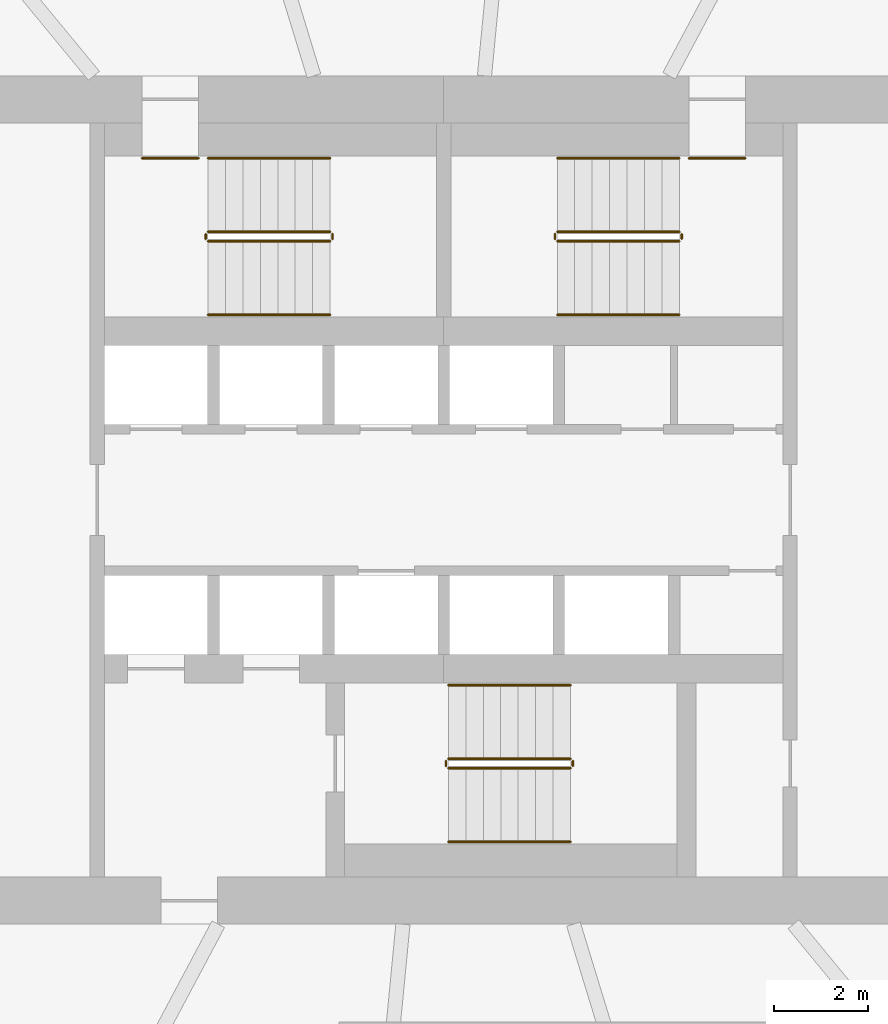
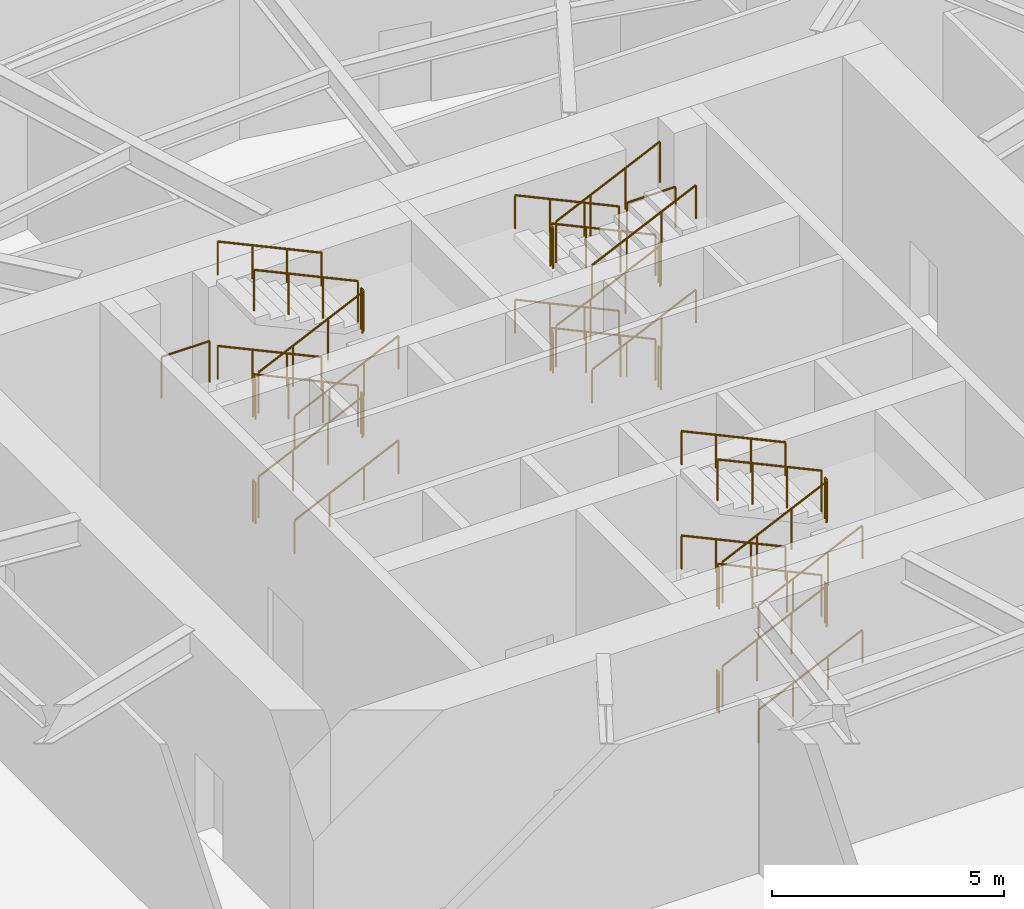
# One storey, part 19 of 19: 38 railings.
"""IFC4 building model written with IfcOpenShell, lengths in metres."""

from ifc_helpers import new_model, si_unit, direction, frame, origin, origin_2d, place, context, subcontext, project, spatial, circle, extrude, material, type_object, element, save


model = new_model("IFC4")

# Units and contexts
model_context = context("Model", 3, precision=1e-05, world=origin(), true_north=direction((0.0, 1.0)))
body_context = subcontext(model_context, "Body", "Model", "MODEL_VIEW")
ifc_project = project(units=[si_unit("LENGTHUNIT", "METRE"), si_unit("AREAUNIT", "SQUARE_METRE"), si_unit("VOLUMEUNIT", "CUBIC_METRE"), si_unit("PLANEANGLEUNIT", "RADIAN"), si_unit("MASSUNIT", "GRAM", prefix="KILO")], contexts=[model_context])

# Site, building, storey
site_placement = place(None, origin())
site = spatial("IfcSite", under=ifc_project, at=site_placement, CompositionType="ELEMENT")
building_placement = place(site_placement, origin())
building = spatial("IfcBuilding", under=site, at=building_placement, Name="Vermilion Reach Broadcast Tower", CompositionType="ELEMENT")
storey_placement = place(building_placement, frame((0.0, 0.0, 26.0)))
storey = spatial("IfcBuildingStorey", under=building, at=storey_placement, Name="L03", CompositionType="ELEMENT", Elevation=26.0)

# Railings
ifc_material_1 = material(Name="Stainless steel", Category="steel")
railing_type_1 = type_object("IfcRailingType", Name="Stair guard 1100", PredefinedType="GUARDRAIL", material=ifc_material_1)
railing_1_placement = place(storey_placement, frame((-11.0, 5.489990234375, 0.171875)))
element("IfcRailing", 1, at=railing_1_placement, inside=storey, type_object=railing_type_1, Name="L03 ST1 stair guard 1", PredefinedType="GUARDRAIL", context=body_context, shape_type="SweptSolid", body=[
    extrude(circle(Radius=0.02392578125, at=origin_2d()), frame((0.0, 0.0, 1.076171875), z_axis=(0.906930820852, 0.0, 0.421279581974), x_axis=(0.0, 1.0, 0.0)), (0.0, 0.0, 1.0), 2.85595703125),
    extrude(circle(Radius=0.02099609375, at=origin_2d()), origin(), (0.0, 0.0, 1.0), 1.052001953125),
    extrude(circle(Radius=0.02099609375, at=origin_2d()), frame((0.86328125, 0.0, 0.401123046875)), (0.0, 0.0, 1.0), 1.052001953125),
    extrude(circle(Radius=0.02099609375, at=origin_2d()), frame((1.726806640625, 0.0, 0.802001953125)), (0.0, 0.0, 1.0), 1.052001953125),
    extrude(circle(Radius=0.02099609375, at=origin_2d()), frame((2.590087890625, 0.0, 1.203125)), (0.0, 0.0, 1.0), 1.052001953125),
])
railing_2_placement = place(storey_placement, frame((-8.360107421875, 5.5400390625, 1.375)))
element("IfcRailing", 2, at=railing_2_placement, inside=storey, type_object=railing_type_1, Name="L03 ST1 stair guard 2", PredefinedType="GUARDRAIL", context=body_context, shape_type="SweptSolid", body=[
    extrude(circle(Radius=0.02392578125, at=origin_2d()), frame((0.0, 0.0, 1.076171875), z_axis=(0.0, 1.0, 0.0), x_axis=(-1.0, 0.0, 0.0)), (0.0, 0.0, 1.0), 0.099853515625),
    extrude(circle(Radius=0.02099609375, at=origin_2d()), origin(), (0.0, 0.0, 1.0), 1.052001953125),
    extrude(circle(Radius=0.02099609375, at=origin_2d()), frame((0.0, 0.099853515625, 0.0)), (0.0, 0.0, 1.0), 1.052001953125),
])
railing_3_placement = place(storey_placement, frame((-8.409912109375, 5.68994140625, 1.546875)))
element("IfcRailing", 3, at=railing_3_placement, inside=storey, type_object=railing_type_1, Name="L03 ST1 stair guard 3", PredefinedType="GUARDRAIL", context=body_context, shape_type="SweptSolid", body=[
    extrude(circle(Radius=0.02392578125, at=origin_2d()), frame((0.0, 0.0, 1.076171875), z_axis=(-0.906930820852, 0.0, 0.421279581974), x_axis=(0.0, -1.0, 0.0)), (0.0, 0.0, 1.0), 2.85595703125),
    extrude(circle(Radius=0.02099609375, at=origin_2d()), origin(), (0.0, 0.0, 1.0), 1.052001953125),
    extrude(circle(Radius=0.02099609375, at=origin_2d()), frame((-0.86328125, 0.0, 0.401123046875)), (0.0, 0.0, 1.0), 1.052001953125),
    extrude(circle(Radius=0.02099609375, at=origin_2d()), frame((-1.726806640625, 0.0, 0.802001953125)), (0.0, 0.0, 1.0), 1.052001953125),
    extrude(circle(Radius=0.02099609375, at=origin_2d()), frame((-2.590087890625, 0.0, 1.203125)), (0.0, 0.0, 1.0), 1.052001953125),
])
railing_4_placement = place(storey_placement, frame((-11.050048828125, 5.5400390625, 2.75)))
element("IfcRailing", 4, at=railing_4_placement, inside=storey, type_object=railing_type_1, Name="L03 ST1 stair guard 4", PredefinedType="GUARDRAIL", context=body_context, shape_type="SweptSolid", body=[
    extrude(circle(Radius=0.02392578125, at=origin_2d()), frame((0.0, 0.0, 1.076171875), z_axis=(0.0, 1.0, 0.0), x_axis=(-1.0, 0.0, 0.0)), (0.0, 0.0, 1.0), 0.099853515625),
    extrude(circle(Radius=0.02099609375, at=origin_2d()), origin(), (0.0, 0.0, 1.0), 1.052001953125),
    extrude(circle(Radius=0.02099609375, at=origin_2d()), frame((0.0, 0.099853515625, 0.0)), (0.0, 0.0, 1.0), 1.052001953125),
])
railing_5_placement = place(storey_placement, frame((-11.0, 5.489990234375, 2.921875)))
element("IfcRailing", 5, at=railing_5_placement, inside=storey, type_object=railing_type_1, Name="L03 ST1 stair guard 5", PredefinedType="GUARDRAIL", context=body_context, shape_type="SweptSolid", body=[
    extrude(circle(Radius=0.02392578125, at=origin_2d()), frame((0.0, 0.0, 1.076171875), z_axis=(0.906930820852, 0.0, 0.421279581974), x_axis=(0.0, 1.0, 0.0)), (0.0, 0.0, 1.0), 2.85595703125),
    extrude(circle(Radius=0.02099609375, at=origin_2d()), origin(), (0.0, 0.0, 1.0), 1.052001953125),
    extrude(circle(Radius=0.02099609375, at=origin_2d()), frame((0.86328125, 0.0, 0.401123046875)), (0.0, 0.0, 1.0), 1.052001953125),
    extrude(circle(Radius=0.02099609375, at=origin_2d()), frame((1.726806640625, 0.0, 0.802001953125)), (0.0, 0.0, 1.0), 1.052001953125),
    extrude(circle(Radius=0.02099609375, at=origin_2d()), frame((2.590087890625, 0.0, 1.203125)), (0.0, 0.0, 1.0), 1.052001953125),
])
railing_6_placement = place(storey_placement, frame((-8.360107421875, 5.5400390625, 4.125)))
element("IfcRailing", 6, at=railing_6_placement, inside=storey, type_object=railing_type_1, Name="L03 ST1 stair guard 6", PredefinedType="GUARDRAIL", context=body_context, shape_type="SweptSolid", body=[
    extrude(circle(Radius=0.02392578125, at=origin_2d()), frame((0.0, 0.0, 1.076171875), z_axis=(0.0, 1.0, 0.0), x_axis=(-1.0, 0.0, 0.0)), (0.0, 0.0, 1.0), 0.099853515625),
    extrude(circle(Radius=0.02099609375, at=origin_2d()), origin(), (0.0, 0.0, 1.0), 1.052001953125),
    extrude(circle(Radius=0.02099609375, at=origin_2d()), frame((0.0, 0.099853515625, 0.0)), (0.0, 0.0, 1.0), 1.052001953125),
])
railing_7_placement = place(storey_placement, frame((-8.409912109375, 5.68994140625, 4.296875)))
element("IfcRailing", 7, at=railing_7_placement, inside=storey, type_object=railing_type_1, Name="L03 ST1 stair guard 7", PredefinedType="GUARDRAIL", context=body_context, shape_type="SweptSolid", body=[
    extrude(circle(Radius=0.02392578125, at=origin_2d()), frame((0.0, 0.0, 1.076171875), z_axis=(-0.906930820852, 0.0, 0.421279581974), x_axis=(0.0, -1.0, 0.0)), (0.0, 0.0, 1.0), 2.85595703125),
    extrude(circle(Radius=0.02099609375, at=origin_2d()), origin(), (0.0, 0.0, 1.0), 1.052001953125),
    extrude(circle(Radius=0.02099609375, at=origin_2d()), frame((-0.86328125, 0.0, 0.401123046875)), (0.0, 0.0, 1.0), 1.052001953125),
    extrude(circle(Radius=0.02099609375, at=origin_2d()), frame((-1.726806640625, 0.0, 0.802001953125)), (0.0, 0.0, 1.0), 1.052001953125),
    extrude(circle(Radius=0.02099609375, at=origin_2d()), frame((-2.590087890625, 0.0, 1.203125)), (0.0, 0.0, 1.0), 1.052001953125),
])
railing_8_placement = place(storey_placement, frame((-11.050048828125, 5.5400390625, 0.0)))
element("IfcRailing", 8, at=railing_8_placement, inside=storey, type_object=railing_type_1, Name="L03 ST1 stair guard 8", PredefinedType="GUARDRAIL", context=body_context, shape_type="SweptSolid", body=[
    extrude(circle(Radius=0.02392578125, at=origin_2d()), frame((0.0, 0.0, 1.076171875), z_axis=(0.0, 1.0, 0.0), x_axis=(-1.0, 0.0, 0.0)), (0.0, 0.0, 1.0), 0.099853515625),
    extrude(circle(Radius=0.02099609375, at=origin_2d()), origin(), (0.0, 0.0, 1.0), 1.052001953125),
    extrude(circle(Radius=0.02099609375, at=origin_2d()), frame((0.0, 0.099853515625, 0.0)), (0.0, 0.0, 1.0), 1.052001953125),
])
railing_9_placement = place(storey_placement, frame((-12.39990234375, 7.25, 2.75)))
element("IfcRailing", 9, at=railing_9_placement, inside=storey, type_object=railing_type_1, Name="L03 ST1 doorway guard", PredefinedType="GUARDRAIL", context=body_context, shape_type="SweptSolid", body=[
    extrude(circle(Radius=0.02392578125, at=origin_2d()), frame((0.0, 0.0, 1.076171875), z_axis=(1.0, 0.0, 0.0), x_axis=(0.0, 1.0, 0.0)), (0.0, 0.0, 1.0), 1.199951171875),
    extrude(circle(Radius=0.02099609375, at=origin_2d()), origin(), (0.0, 0.0, 1.0), 1.052001953125),
    extrude(circle(Radius=0.02099609375, at=origin_2d()), frame((1.199951171875, 0.0, 0.0)), (0.0, 0.0, 1.0), 1.052001953125),
])
railing_10_placement = place(storey_placement, frame((-1.0, 5.68994140625, 0.171875)))
element("IfcRailing", 10, at=railing_10_placement, inside=storey, type_object=railing_type_1, Name="L03 ST2 stair guard 1", PredefinedType="GUARDRAIL", context=body_context, shape_type="SweptSolid", body=[
    extrude(circle(Radius=0.02392578125, at=origin_2d()), frame((0.0, 0.0, 1.076171875), z_axis=(-0.906930820852, 0.0, 0.421279581974), x_axis=(0.0, -1.0, 0.0)), (0.0, 0.0, 1.0), 2.85595703125),
    extrude(circle(Radius=0.02099609375, at=origin_2d()), origin(), (0.0, 0.0, 1.0), 1.052001953125),
    extrude(circle(Radius=0.02099609375, at=origin_2d()), frame((-0.86328125, 0.0, 0.401123046875)), (0.0, 0.0, 1.0), 1.052001953125),
    extrude(circle(Radius=0.02099609375, at=origin_2d()), frame((-1.726806640625, 0.0, 0.802001953125)), (0.0, 0.0, 1.0), 1.052001953125),
    extrude(circle(Radius=0.02099609375, at=origin_2d()), frame((-2.590087890625, 0.0, 1.203125)), (0.0, 0.0, 1.0), 1.052001953125),
])
railing_11_placement = place(storey_placement, frame((-3.639892578125, 5.639892578125, 1.375)))
element("IfcRailing", 11, at=railing_11_placement, inside=storey, type_object=railing_type_1, Name="L03 ST2 stair guard 2", PredefinedType="GUARDRAIL", context=body_context, shape_type="SweptSolid", body=[
    extrude(circle(Radius=0.02392578125, at=origin_2d()), frame((0.0, 0.0, 1.076171875), z_axis=(0.0, -1.0, 0.0), x_axis=(1.0, 0.0, 0.0)), (0.0, 0.0, 1.0), 0.099853515625),
    extrude(circle(Radius=0.02099609375, at=origin_2d()), origin(), (0.0, 0.0, 1.0), 1.052001953125),
    extrude(circle(Radius=0.02099609375, at=origin_2d()), frame((0.0, -0.099853515625, 0.0)), (0.0, 0.0, 1.0), 1.052001953125),
])
railing_12_placement = place(storey_placement, frame((-3.590087890625, 5.489990234375, 1.546875)))
element("IfcRailing", 12, at=railing_12_placement, inside=storey, type_object=railing_type_1, Name="L03 ST2 stair guard 3", PredefinedType="GUARDRAIL", context=body_context, shape_type="SweptSolid", body=[
    extrude(circle(Radius=0.02392578125, at=origin_2d()), frame((0.0, 0.0, 1.076171875), z_axis=(0.906930820852, 0.0, 0.421279581974), x_axis=(0.0, 1.0, 0.0)), (0.0, 0.0, 1.0), 2.85595703125),
    extrude(circle(Radius=0.02099609375, at=origin_2d()), origin(), (0.0, 0.0, 1.0), 1.052001953125),
    extrude(circle(Radius=0.02099609375, at=origin_2d()), frame((0.86328125, 0.0, 0.401123046875)), (0.0, 0.0, 1.0), 1.052001953125),
    extrude(circle(Radius=0.02099609375, at=origin_2d()), frame((1.726806640625, 0.0, 0.802001953125)), (0.0, 0.0, 1.0), 1.052001953125),
    extrude(circle(Radius=0.02099609375, at=origin_2d()), frame((2.590087890625, 0.0, 1.203125)), (0.0, 0.0, 1.0), 1.052001953125),
])
railing_13_placement = place(storey_placement, frame((-0.949951171875, 5.639892578125, 2.75)))
element("IfcRailing", 13, at=railing_13_placement, inside=storey, type_object=railing_type_1, Name="L03 ST2 stair guard 4", PredefinedType="GUARDRAIL", context=body_context, shape_type="SweptSolid", body=[
    extrude(circle(Radius=0.02392578125, at=origin_2d()), frame((0.0, 0.0, 1.076171875), z_axis=(0.0, -1.0, 0.0), x_axis=(1.0, 0.0, 0.0)), (0.0, 0.0, 1.0), 0.099853515625),
    extrude(circle(Radius=0.02099609375, at=origin_2d()), origin(), (0.0, 0.0, 1.0), 1.052001953125),
    extrude(circle(Radius=0.02099609375, at=origin_2d()), frame((0.0, -0.099853515625, 0.0)), (0.0, 0.0, 1.0), 1.052001953125),
])
railing_14_placement = place(storey_placement, frame((-1.0, 5.68994140625, 2.921875)))
element("IfcRailing", 14, at=railing_14_placement, inside=storey, type_object=railing_type_1, Name="L03 ST2 stair guard 5", PredefinedType="GUARDRAIL", context=body_context, shape_type="SweptSolid", body=[
    extrude(circle(Radius=0.02392578125, at=origin_2d()), frame((0.0, 0.0, 1.076171875), z_axis=(-0.906930820852, 0.0, 0.421279581974), x_axis=(0.0, -1.0, 0.0)), (0.0, 0.0, 1.0), 2.85595703125),
    extrude(circle(Radius=0.02099609375, at=origin_2d()), origin(), (0.0, 0.0, 1.0), 1.052001953125),
    extrude(circle(Radius=0.02099609375, at=origin_2d()), frame((-0.86328125, 0.0, 0.401123046875)), (0.0, 0.0, 1.0), 1.052001953125),
    extrude(circle(Radius=0.02099609375, at=origin_2d()), frame((-1.726806640625, 0.0, 0.802001953125)), (0.0, 0.0, 1.0), 1.052001953125),
    extrude(circle(Radius=0.02099609375, at=origin_2d()), frame((-2.590087890625, 0.0, 1.203125)), (0.0, 0.0, 1.0), 1.052001953125),
])
railing_15_placement = place(storey_placement, frame((-3.639892578125, 5.639892578125, 4.125)))
element("IfcRailing", 15, at=railing_15_placement, inside=storey, type_object=railing_type_1, Name="L03 ST2 stair guard 6", PredefinedType="GUARDRAIL", context=body_context, shape_type="SweptSolid", body=[
    extrude(circle(Radius=0.02392578125, at=origin_2d()), frame((0.0, 0.0, 1.076171875), z_axis=(0.0, -1.0, 0.0), x_axis=(1.0, 0.0, 0.0)), (0.0, 0.0, 1.0), 0.099853515625),
    extrude(circle(Radius=0.02099609375, at=origin_2d()), origin(), (0.0, 0.0, 1.0), 1.052001953125),
    extrude(circle(Radius=0.02099609375, at=origin_2d()), frame((0.0, -0.099853515625, 0.0)), (0.0, 0.0, 1.0), 1.052001953125),
])
railing_16_placement = place(storey_placement, frame((-3.590087890625, 5.489990234375, 4.296875)))
element("IfcRailing", 16, at=railing_16_placement, inside=storey, type_object=railing_type_1, Name="L03 ST2 stair guard 7", PredefinedType="GUARDRAIL", context=body_context, shape_type="SweptSolid", body=[
    extrude(circle(Radius=0.02392578125, at=origin_2d()), frame((0.0, 0.0, 1.076171875), z_axis=(0.906930820852, 0.0, 0.421279581974), x_axis=(0.0, 1.0, 0.0)), (0.0, 0.0, 1.0), 2.85595703125),
    extrude(circle(Radius=0.02099609375, at=origin_2d()), origin(), (0.0, 0.0, 1.0), 1.052001953125),
    extrude(circle(Radius=0.02099609375, at=origin_2d()), frame((0.86328125, 0.0, 0.401123046875)), (0.0, 0.0, 1.0), 1.052001953125),
    extrude(circle(Radius=0.02099609375, at=origin_2d()), frame((1.726806640625, 0.0, 0.802001953125)), (0.0, 0.0, 1.0), 1.052001953125),
    extrude(circle(Radius=0.02099609375, at=origin_2d()), frame((2.590087890625, 0.0, 1.203125)), (0.0, 0.0, 1.0), 1.052001953125),
])
railing_17_placement = place(storey_placement, frame((-0.949951171875, 5.639892578125, 0.0)))
element("IfcRailing", 17, at=railing_17_placement, inside=storey, type_object=railing_type_1, Name="L03 ST2 stair guard 8", PredefinedType="GUARDRAIL", context=body_context, shape_type="SweptSolid", body=[
    extrude(circle(Radius=0.02392578125, at=origin_2d()), frame((0.0, 0.0, 1.076171875), z_axis=(0.0, -1.0, 0.0), x_axis=(1.0, 0.0, 0.0)), (0.0, 0.0, 1.0), 0.099853515625),
    extrude(circle(Radius=0.02099609375, at=origin_2d()), origin(), (0.0, 0.0, 1.0), 1.052001953125),
    extrude(circle(Radius=0.02099609375, at=origin_2d()), frame((0.0, -0.099853515625, 0.0)), (0.0, 0.0, 1.0), 1.052001953125),
])
railing_18_placement = place(storey_placement, frame((-0.800048828125, 7.25, 2.75)))
element("IfcRailing", 18, at=railing_18_placement, inside=storey, type_object=railing_type_1, Name="L03 ST2 doorway guard", PredefinedType="GUARDRAIL", context=body_context, shape_type="SweptSolid", body=[
    extrude(circle(Radius=0.02392578125, at=origin_2d()), frame((0.0, 0.0, 1.076171875), z_axis=(1.0, 0.0, 0.0), x_axis=(0.0, 1.0, 0.0)), (0.0, 0.0, 1.0), 1.199951171875),
    extrude(circle(Radius=0.02099609375, at=origin_2d()), origin(), (0.0, 0.0, 1.0), 1.052001953125),
    extrude(circle(Radius=0.02099609375, at=origin_2d()), frame((1.199951171875, 0.0, 0.0)), (0.0, 0.0, 1.0), 1.052001953125),
])
railing_19_placement = place(storey_placement, frame((-5.89990234375, -5.68994140625, 0.171875)))
element("IfcRailing", 19, at=railing_19_placement, inside=storey, type_object=railing_type_1, Name="L03 ST3 stair guard 1", PredefinedType="GUARDRAIL", context=body_context, shape_type="SweptSolid", body=[
    extrude(circle(Radius=0.02392578125, at=origin_2d()), frame((0.0, 0.0, 1.076171875), z_axis=(0.906915647168, 0.0, 0.421312246347), x_axis=(0.0, 1.0, 0.0)), (0.0, 0.0, 1.0), 2.855712890625),
    extrude(circle(Radius=0.02099609375, at=origin_2d()), origin(), (0.0, 0.0, 1.0), 1.052001953125),
    extrude(circle(Radius=0.02099609375, at=origin_2d()), frame((0.86328125, 0.0, 0.401123046875)), (0.0, 0.0, 1.0), 1.052001953125),
    extrude(circle(Radius=0.02099609375, at=origin_2d()), frame((1.7265625, 0.0, 0.802001953125)), (0.0, 0.0, 1.0), 1.052001953125),
    extrude(circle(Radius=0.02099609375, at=origin_2d()), frame((2.58984375, 0.0, 1.203125)), (0.0, 0.0, 1.0), 1.052001953125),
])
railing_20_placement = place(storey_placement, frame((-3.260009765625, -5.639892578125, 1.375)))
element("IfcRailing", 20, at=railing_20_placement, inside=storey, type_object=railing_type_1, Name="L03 ST3 stair guard 2", PredefinedType="GUARDRAIL", context=body_context, shape_type="SweptSolid", body=[
    extrude(circle(Radius=0.02392578125, at=origin_2d()), frame((0.0, 0.0, 1.076171875), z_axis=(0.0, 1.0, 0.0), x_axis=(-1.0, 0.0, 0.0)), (0.0, 0.0, 1.0), 0.099853515625),
    extrude(circle(Radius=0.02099609375, at=origin_2d()), origin(), (0.0, 0.0, 1.0), 1.052001953125),
    extrude(circle(Radius=0.02099609375, at=origin_2d()), frame((0.0, 0.099853515625, 0.0)), (0.0, 0.0, 1.0), 1.052001953125),
])
railing_21_placement = place(storey_placement, frame((-3.31005859375, -5.489990234375, 1.546875)))
element("IfcRailing", 21, at=railing_21_placement, inside=storey, type_object=railing_type_1, Name="L03 ST3 stair guard 3", PredefinedType="GUARDRAIL", context=body_context, shape_type="SweptSolid", body=[
    extrude(circle(Radius=0.02392578125, at=origin_2d()), frame((0.0, 0.0, 1.076171875), z_axis=(-0.906915647168, 0.0, 0.421312246347), x_axis=(0.0, -1.0, 0.0)), (0.0, 0.0, 1.0), 2.855712890625),
    extrude(circle(Radius=0.02099609375, at=origin_2d()), origin(), (0.0, 0.0, 1.0), 1.052001953125),
    extrude(circle(Radius=0.02099609375, at=origin_2d()), frame((-0.86328125, 0.0, 0.401123046875)), (0.0, 0.0, 1.0), 1.052001953125),
    extrude(circle(Radius=0.02099609375, at=origin_2d()), frame((-1.7265625, 0.0, 0.802001953125)), (0.0, 0.0, 1.0), 1.052001953125),
    extrude(circle(Radius=0.02099609375, at=origin_2d()), frame((-2.58984375, 0.0, 1.203125)), (0.0, 0.0, 1.0), 1.052001953125),
])
railing_22_placement = place(storey_placement, frame((-5.949951171875, -5.639892578125, 2.75)))
element("IfcRailing", 22, at=railing_22_placement, inside=storey, type_object=railing_type_1, Name="L03 ST3 stair guard 4", PredefinedType="GUARDRAIL", context=body_context, shape_type="SweptSolid", body=[
    extrude(circle(Radius=0.02392578125, at=origin_2d()), frame((0.0, 0.0, 1.076171875), z_axis=(0.0, 1.0, 0.0), x_axis=(-1.0, 0.0, 0.0)), (0.0, 0.0, 1.0), 0.099853515625),
    extrude(circle(Radius=0.02099609375, at=origin_2d()), origin(), (0.0, 0.0, 1.0), 1.052001953125),
    extrude(circle(Radius=0.02099609375, at=origin_2d()), frame((0.0, 0.099853515625, 0.0)), (0.0, 0.0, 1.0), 1.052001953125),
])
railing_23_placement = place(storey_placement, frame((-5.89990234375, -5.68994140625, 2.921875)))
element("IfcRailing", 23, at=railing_23_placement, inside=storey, type_object=railing_type_1, Name="L03 ST3 stair guard 5", PredefinedType="GUARDRAIL", context=body_context, shape_type="SweptSolid", body=[
    extrude(circle(Radius=0.02392578125, at=origin_2d()), frame((0.0, 0.0, 1.076171875), z_axis=(0.906915647168, 0.0, 0.421312246347), x_axis=(0.0, 1.0, 0.0)), (0.0, 0.0, 1.0), 2.855712890625),
    extrude(circle(Radius=0.02099609375, at=origin_2d()), origin(), (0.0, 0.0, 1.0), 1.052001953125),
    extrude(circle(Radius=0.02099609375, at=origin_2d()), frame((0.86328125, 0.0, 0.401123046875)), (0.0, 0.0, 1.0), 1.052001953125),
    extrude(circle(Radius=0.02099609375, at=origin_2d()), frame((1.7265625, 0.0, 0.802001953125)), (0.0, 0.0, 1.0), 1.052001953125),
    extrude(circle(Radius=0.02099609375, at=origin_2d()), frame((2.58984375, 0.0, 1.203125)), (0.0, 0.0, 1.0), 1.052001953125),
])
railing_24_placement = place(storey_placement, frame((-3.260009765625, -5.639892578125, 4.125)))
element("IfcRailing", 24, at=railing_24_placement, inside=storey, type_object=railing_type_1, Name="L03 ST3 stair guard 6", PredefinedType="GUARDRAIL", context=body_context, shape_type="SweptSolid", body=[
    extrude(circle(Radius=0.02392578125, at=origin_2d()), frame((0.0, 0.0, 1.076171875), z_axis=(0.0, 1.0, 0.0), x_axis=(-1.0, 0.0, 0.0)), (0.0, 0.0, 1.0), 0.099853515625),
    extrude(circle(Radius=0.02099609375, at=origin_2d()), origin(), (0.0, 0.0, 1.0), 1.052001953125),
    extrude(circle(Radius=0.02099609375, at=origin_2d()), frame((0.0, 0.099853515625, 0.0)), (0.0, 0.0, 1.0), 1.052001953125),
])
railing_25_placement = place(storey_placement, frame((-3.31005859375, -5.489990234375, 4.296875)))
element("IfcRailing", 25, at=railing_25_placement, inside=storey, type_object=railing_type_1, Name="L03 ST3 stair guard 7", PredefinedType="GUARDRAIL", context=body_context, shape_type="SweptSolid", body=[
    extrude(circle(Radius=0.02392578125, at=origin_2d()), frame((0.0, 0.0, 1.076171875), z_axis=(-0.906915647168, 0.0, 0.421312246347), x_axis=(0.0, -1.0, 0.0)), (0.0, 0.0, 1.0), 2.855712890625),
    extrude(circle(Radius=0.02099609375, at=origin_2d()), origin(), (0.0, 0.0, 1.0), 1.052001953125),
    extrude(circle(Radius=0.02099609375, at=origin_2d()), frame((-0.86328125, 0.0, 0.401123046875)), (0.0, 0.0, 1.0), 1.052001953125),
    extrude(circle(Radius=0.02099609375, at=origin_2d()), frame((-1.7265625, 0.0, 0.802001953125)), (0.0, 0.0, 1.0), 1.052001953125),
    extrude(circle(Radius=0.02099609375, at=origin_2d()), frame((-2.58984375, 0.0, 1.203125)), (0.0, 0.0, 1.0), 1.052001953125),
])
railing_26_placement = place(storey_placement, frame((-5.949951171875, -5.639892578125, 0.0)))
element("IfcRailing", 26, at=railing_26_placement, inside=storey, type_object=railing_type_1, Name="L03 ST3 stair guard 8", PredefinedType="GUARDRAIL", context=body_context, shape_type="SweptSolid", body=[
    extrude(circle(Radius=0.02392578125, at=origin_2d()), frame((0.0, 0.0, 1.076171875), z_axis=(0.0, 1.0, 0.0), x_axis=(-1.0, 0.0, 0.0)), (0.0, 0.0, 1.0), 0.099853515625),
    extrude(circle(Radius=0.02099609375, at=origin_2d()), origin(), (0.0, 0.0, 1.0), 1.052001953125),
    extrude(circle(Radius=0.02099609375, at=origin_2d()), frame((0.0, 0.099853515625, 0.0)), (0.0, 0.0, 1.0), 1.052001953125),
])
ifc_material_2 = material(Name="Stainless steel", Category="steel")
railing_type_2 = type_object("IfcRailingType", Name="Stair handrail", PredefinedType="HANDRAIL", material=ifc_material_2)
railing_27_placement = place(storey_placement, frame((-11.0, 3.929931640625, 0.171875)))
element("IfcRailing", 27, at=railing_27_placement, inside=storey, type_object=railing_type_2, Name="L03 ST1 stair handrail 1", PredefinedType="HANDRAIL", context=body_context, shape_type="SweptSolid", body=[
    extrude(circle(Radius=0.02392578125, at=origin_2d()), frame((0.0, 0.0, 0.8759765625), z_axis=(0.906930820852, 0.0, 0.421279581974), x_axis=(0.0, 1.0, 0.0)), (0.0, 0.0, 1.0), 2.85595703125),
    extrude(circle(Radius=0.02099609375, at=origin_2d()), origin(), (0.0, 0.0, 1.0), 0.851806640625),
    extrude(circle(Radius=0.02099609375, at=origin_2d()), frame((0.86328125, 0.0, 0.401123046875)), (0.0, 0.0, 1.0), 0.851806640625),
    extrude(circle(Radius=0.02099609375, at=origin_2d()), frame((1.726806640625, 0.0, 0.802001953125)), (0.0, 0.0, 1.0), 0.851806640625),
    extrude(circle(Radius=0.02099609375, at=origin_2d()), frame((2.590087890625, 0.0, 1.203125)), (0.0, 0.0, 1.0), 0.851806640625),
])
railing_28_placement = place(storey_placement, frame((-8.409912109375, 7.25, 1.546875)))
element("IfcRailing", 28, at=railing_28_placement, inside=storey, type_object=railing_type_2, Name="L03 ST1 stair handrail 2", PredefinedType="HANDRAIL", context=body_context, shape_type="SweptSolid", body=[
    extrude(circle(Radius=0.02392578125, at=origin_2d()), frame((0.0, 0.0, 0.8759765625), z_axis=(-0.906930820852, 0.0, 0.421279581974), x_axis=(0.0, -1.0, 0.0)), (0.0, 0.0, 1.0), 2.85595703125),
    extrude(circle(Radius=0.02099609375, at=origin_2d()), origin(), (0.0, 0.0, 1.0), 0.851806640625),
    extrude(circle(Radius=0.02099609375, at=origin_2d()), frame((-0.86328125, 0.0, 0.401123046875)), (0.0, 0.0, 1.0), 0.851806640625),
    extrude(circle(Radius=0.02099609375, at=origin_2d()), frame((-1.726806640625, 0.0, 0.802001953125)), (0.0, 0.0, 1.0), 0.851806640625),
    extrude(circle(Radius=0.02099609375, at=origin_2d()), frame((-2.590087890625, 0.0, 1.203125)), (0.0, 0.0, 1.0), 0.851806640625),
])
railing_29_placement = place(storey_placement, frame((-11.0, 3.929931640625, 2.921875)))
element("IfcRailing", 29, at=railing_29_placement, inside=storey, type_object=railing_type_2, Name="L03 ST1 stair handrail 3", PredefinedType="HANDRAIL", context=body_context, shape_type="SweptSolid", body=[
    extrude(circle(Radius=0.02392578125, at=origin_2d()), frame((0.0, 0.0, 0.8759765625), z_axis=(0.906930820852, 0.0, 0.421279581974), x_axis=(0.0, 1.0, 0.0)), (0.0, 0.0, 1.0), 2.85595703125),
    extrude(circle(Radius=0.02099609375, at=origin_2d()), origin(), (0.0, 0.0, 1.0), 0.851806640625),
    extrude(circle(Radius=0.02099609375, at=origin_2d()), frame((0.86328125, 0.0, 0.401123046875)), (0.0, 0.0, 1.0), 0.851806640625),
    extrude(circle(Radius=0.02099609375, at=origin_2d()), frame((1.726806640625, 0.0, 0.802001953125)), (0.0, 0.0, 1.0), 0.851806640625),
    extrude(circle(Radius=0.02099609375, at=origin_2d()), frame((2.590087890625, 0.0, 1.203125)), (0.0, 0.0, 1.0), 0.851806640625),
])
for number, where, name in (
    (30, (-8.409912109375, 7.25, 4.296875), "L03 ST1 stair handrail 4"),
    (31, (-1.0, 7.25, 0.171875), "L03 ST2 stair handrail 1"),
):
    element("IfcRailing", number, at=place(storey_placement, frame(where)), inside=storey, type_object=railing_type_2, Name=name, PredefinedType="HANDRAIL", context=body_context, shape_type="SweptSolid", body=[
        extrude(circle(Radius=0.02392578125, at=origin_2d()), frame((0.0, 0.0, 0.8759765625), z_axis=(-0.906930820852, 0.0, 0.421279581974), x_axis=(0.0, -1.0, 0.0)), (0.0, 0.0, 1.0), 2.85595703125),
        extrude(circle(Radius=0.02099609375, at=origin_2d()), origin(), (0.0, 0.0, 1.0), 0.851806640625),
        extrude(circle(Radius=0.02099609375, at=origin_2d()), frame((-0.86328125, 0.0, 0.401123046875)), (0.0, 0.0, 1.0), 0.851806640625),
        extrude(circle(Radius=0.02099609375, at=origin_2d()), frame((-1.726806640625, 0.0, 0.802001953125)), (0.0, 0.0, 1.0), 0.851806640625),
        extrude(circle(Radius=0.02099609375, at=origin_2d()), frame((-2.590087890625, 0.0, 1.203125)), (0.0, 0.0, 1.0), 0.851806640625),
    ])
railing_30_placement = place(storey_placement, frame((-3.590087890625, 3.929931640625, 1.546875)))
element("IfcRailing", 32, at=railing_30_placement, inside=storey, type_object=railing_type_2, Name="L03 ST2 stair handrail 2", PredefinedType="HANDRAIL", context=body_context, shape_type="SweptSolid", body=[
    extrude(circle(Radius=0.02392578125, at=origin_2d()), frame((0.0, 0.0, 0.8759765625), z_axis=(0.906930820852, 0.0, 0.421279581974), x_axis=(0.0, 1.0, 0.0)), (0.0, 0.0, 1.0), 2.85595703125),
    extrude(circle(Radius=0.02099609375, at=origin_2d()), origin(), (0.0, 0.0, 1.0), 0.851806640625),
    extrude(circle(Radius=0.02099609375, at=origin_2d()), frame((0.86328125, 0.0, 0.401123046875)), (0.0, 0.0, 1.0), 0.851806640625),
    extrude(circle(Radius=0.02099609375, at=origin_2d()), frame((1.726806640625, 0.0, 0.802001953125)), (0.0, 0.0, 1.0), 0.851806640625),
    extrude(circle(Radius=0.02099609375, at=origin_2d()), frame((2.590087890625, 0.0, 1.203125)), (0.0, 0.0, 1.0), 0.851806640625),
])
railing_31_placement = place(storey_placement, frame((-1.0, 7.25, 2.921875)))
element("IfcRailing", 33, at=railing_31_placement, inside=storey, type_object=railing_type_2, Name="L03 ST2 stair handrail 3", PredefinedType="HANDRAIL", context=body_context, shape_type="SweptSolid", body=[
    extrude(circle(Radius=0.02392578125, at=origin_2d()), frame((0.0, 0.0, 0.8759765625), z_axis=(-0.906930820852, 0.0, 0.421279581974), x_axis=(0.0, -1.0, 0.0)), (0.0, 0.0, 1.0), 2.85595703125),
    extrude(circle(Radius=0.02099609375, at=origin_2d()), origin(), (0.0, 0.0, 1.0), 0.851806640625),
    extrude(circle(Radius=0.02099609375, at=origin_2d()), frame((-0.86328125, 0.0, 0.401123046875)), (0.0, 0.0, 1.0), 0.851806640625),
    extrude(circle(Radius=0.02099609375, at=origin_2d()), frame((-1.726806640625, 0.0, 0.802001953125)), (0.0, 0.0, 1.0), 0.851806640625),
    extrude(circle(Radius=0.02099609375, at=origin_2d()), frame((-2.590087890625, 0.0, 1.203125)), (0.0, 0.0, 1.0), 0.851806640625),
])
railing_32_placement = place(storey_placement, frame((-3.590087890625, 3.929931640625, 4.296875)))
element("IfcRailing", 34, at=railing_32_placement, inside=storey, type_object=railing_type_2, Name="L03 ST2 stair handrail 4", PredefinedType="HANDRAIL", context=body_context, shape_type="SweptSolid", body=[
    extrude(circle(Radius=0.02392578125, at=origin_2d()), frame((0.0, 0.0, 0.8759765625), z_axis=(0.906930820852, 0.0, 0.421279581974), x_axis=(0.0, 1.0, 0.0)), (0.0, 0.0, 1.0), 2.85595703125),
    extrude(circle(Radius=0.02099609375, at=origin_2d()), origin(), (0.0, 0.0, 1.0), 0.851806640625),
    extrude(circle(Radius=0.02099609375, at=origin_2d()), frame((0.86328125, 0.0, 0.401123046875)), (0.0, 0.0, 1.0), 0.851806640625),
    extrude(circle(Radius=0.02099609375, at=origin_2d()), frame((1.726806640625, 0.0, 0.802001953125)), (0.0, 0.0, 1.0), 0.851806640625),
    extrude(circle(Radius=0.02099609375, at=origin_2d()), frame((2.590087890625, 0.0, 1.203125)), (0.0, 0.0, 1.0), 0.851806640625),
])
railing_33_placement = place(storey_placement, frame((-5.89990234375, -7.25, 0.171875)))
element("IfcRailing", 35, at=railing_33_placement, inside=storey, type_object=railing_type_2, Name="L03 ST3 stair handrail 1", PredefinedType="HANDRAIL", context=body_context, shape_type="SweptSolid", body=[
    extrude(circle(Radius=0.02392578125, at=origin_2d()), frame((0.0, 0.0, 0.8759765625), z_axis=(0.906915647168, 0.0, 0.421312246347), x_axis=(0.0, 1.0, 0.0)), (0.0, 0.0, 1.0), 2.855712890625),
    extrude(circle(Radius=0.02099609375, at=origin_2d()), origin(), (0.0, 0.0, 1.0), 0.851806640625),
    extrude(circle(Radius=0.02099609375, at=origin_2d()), frame((0.86328125, 0.0, 0.401123046875)), (0.0, 0.0, 1.0), 0.851806640625),
    extrude(circle(Radius=0.02099609375, at=origin_2d()), frame((1.7265625, 0.0, 0.802001953125)), (0.0, 0.0, 1.0), 0.851806640625),
    extrude(circle(Radius=0.02099609375, at=origin_2d()), frame((2.58984375, 0.0, 1.203125)), (0.0, 0.0, 1.0), 0.851806640625),
])
railing_34_placement = place(storey_placement, frame((-3.31005859375, -3.929931640625, 1.546875)))
element("IfcRailing", 36, at=railing_34_placement, inside=storey, type_object=railing_type_2, Name="L03 ST3 stair handrail 2", PredefinedType="HANDRAIL", context=body_context, shape_type="SweptSolid", body=[
    extrude(circle(Radius=0.02392578125, at=origin_2d()), frame((0.0, 0.0, 0.8759765625), z_axis=(-0.906915647168, 0.0, 0.421312246347), x_axis=(0.0, -1.0, 0.0)), (0.0, 0.0, 1.0), 2.855712890625),
    extrude(circle(Radius=0.02099609375, at=origin_2d()), origin(), (0.0, 0.0, 1.0), 0.851806640625),
    extrude(circle(Radius=0.02099609375, at=origin_2d()), frame((-0.86328125, 0.0, 0.401123046875)), (0.0, 0.0, 1.0), 0.851806640625),
    extrude(circle(Radius=0.02099609375, at=origin_2d()), frame((-1.7265625, 0.0, 0.802001953125)), (0.0, 0.0, 1.0), 0.851806640625),
    extrude(circle(Radius=0.02099609375, at=origin_2d()), frame((-2.58984375, 0.0, 1.203125)), (0.0, 0.0, 1.0), 0.851806640625),
])
railing_35_placement = place(storey_placement, frame((-5.89990234375, -7.25, 2.921875)))
element("IfcRailing", 37, at=railing_35_placement, inside=storey, type_object=railing_type_2, Name="L03 ST3 stair handrail 3", PredefinedType="HANDRAIL", context=body_context, shape_type="SweptSolid", body=[
    extrude(circle(Radius=0.02392578125, at=origin_2d()), frame((0.0, 0.0, 0.8759765625), z_axis=(0.906915647168, 0.0, 0.421312246347), x_axis=(0.0, 1.0, 0.0)), (0.0, 0.0, 1.0), 2.855712890625),
    extrude(circle(Radius=0.02099609375, at=origin_2d()), origin(), (0.0, 0.0, 1.0), 0.851806640625),
    extrude(circle(Radius=0.02099609375, at=origin_2d()), frame((0.86328125, 0.0, 0.401123046875)), (0.0, 0.0, 1.0), 0.851806640625),
    extrude(circle(Radius=0.02099609375, at=origin_2d()), frame((1.7265625, 0.0, 0.802001953125)), (0.0, 0.0, 1.0), 0.851806640625),
    extrude(circle(Radius=0.02099609375, at=origin_2d()), frame((2.58984375, 0.0, 1.203125)), (0.0, 0.0, 1.0), 0.851806640625),
])
railing_36_placement = place(storey_placement, frame((-3.31005859375, -3.929931640625, 4.296875)))
element("IfcRailing", 38, at=railing_36_placement, inside=storey, type_object=railing_type_2, Name="L03 ST3 stair handrail 4", PredefinedType="HANDRAIL", context=body_context, shape_type="SweptSolid", body=[
    extrude(circle(Radius=0.02392578125, at=origin_2d()), frame((0.0, 0.0, 0.8759765625), z_axis=(-0.906915647168, 0.0, 0.421312246347), x_axis=(0.0, -1.0, 0.0)), (0.0, 0.0, 1.0), 2.855712890625),
    extrude(circle(Radius=0.02099609375, at=origin_2d()), origin(), (0.0, 0.0, 1.0), 0.851806640625),
    extrude(circle(Radius=0.02099609375, at=origin_2d()), frame((-0.86328125, 0.0, 0.401123046875)), (0.0, 0.0, 1.0), 0.851806640625),
    extrude(circle(Radius=0.02099609375, at=origin_2d()), frame((-1.7265625, 0.0, 0.802001953125)), (0.0, 0.0, 1.0), 0.851806640625),
    extrude(circle(Radius=0.02099609375, at=origin_2d()), frame((-2.58984375, 0.0, 1.203125)), (0.0, 0.0, 1.0), 0.851806640625),
])

save(model, "model.ifc")
